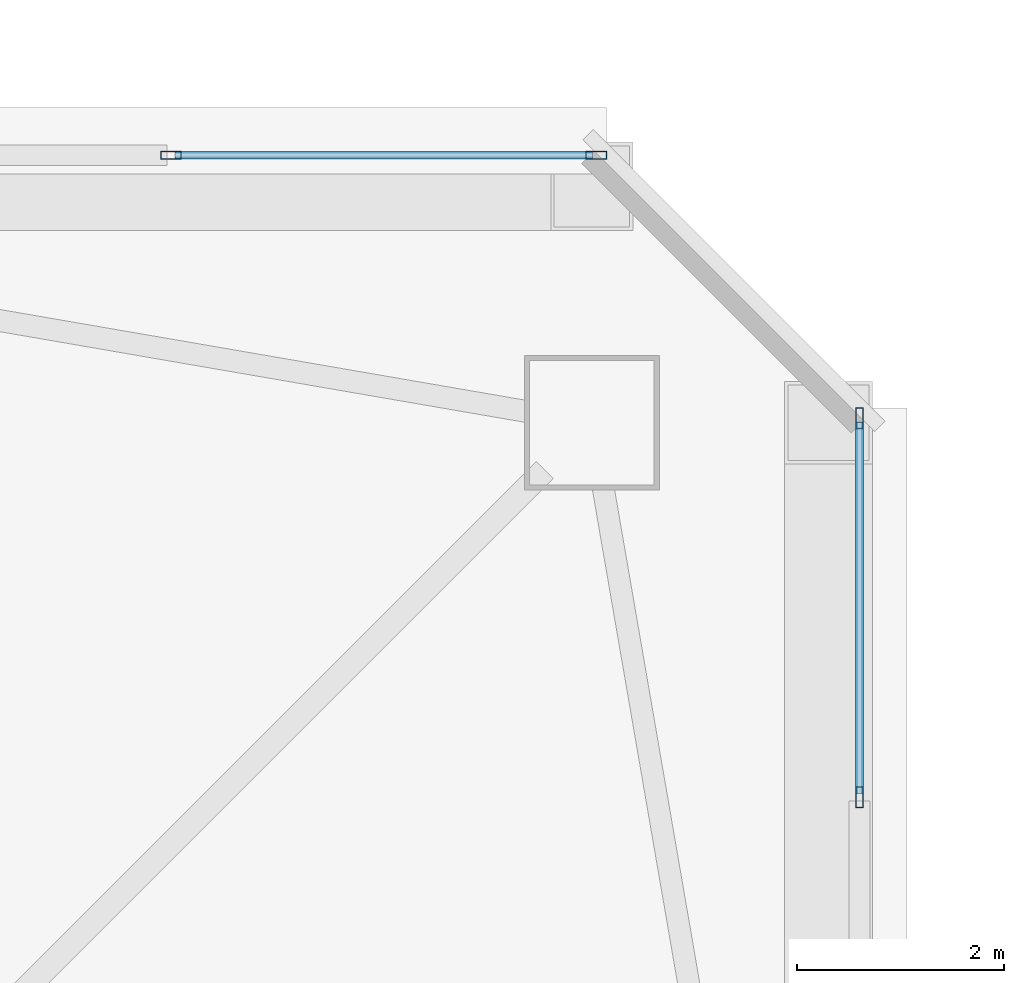
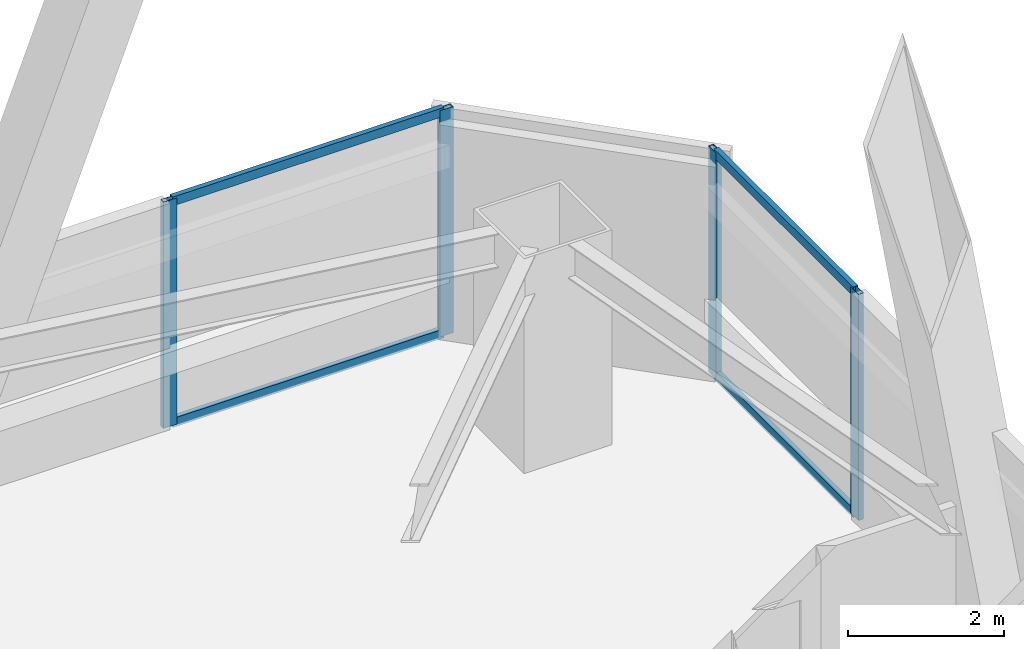
# One storey, part 22 of 54: 8 members, 2 elements without a shape of their own.
"""IFC4 building model written with IfcOpenShell, lengths in metres."""

from ifc_helpers import new_model, si_unit, direction, frame, origin, origin_2d, place, context, subcontext, project, spatial, hollow_rectangle, extrude, material, material_profile, profile_set, type_object, element, aggregate, save


model = new_model("IFC4")

# Units and contexts
model_context = context("Model", 3, precision=1e-05, world=origin(), true_north=direction((0.0, 1.0)))
body_context = subcontext(model_context, "Body", "Model", "MODEL_VIEW")
ifc_project = project(units=[si_unit("LENGTHUNIT", "METRE"), si_unit("AREAUNIT", "SQUARE_METRE"), si_unit("VOLUMEUNIT", "CUBIC_METRE"), si_unit("PLANEANGLEUNIT", "RADIAN"), si_unit("MASSUNIT", "GRAM", prefix="KILO")], contexts=[model_context])

# Site, building, storey
site_placement = place(None, origin())
site = spatial("IfcSite", under=ifc_project, at=site_placement, CompositionType="ELEMENT")
building_placement = place(site_placement, origin())
building = spatial("IfcBuilding", under=site, at=building_placement, Name="Tashvorn Skyway Center", CompositionType="ELEMENT")
storey_placement = place(building_placement, frame((0.0, 0.0, 135.699951171875)))
storey = spatial("IfcBuildingStorey", under=building, at=storey_placement, Name="L36", CompositionType="ELEMENT", Elevation=135.699951171875)

# Curtain wall, members
ifc_material = material(Name="Thermally broken bronze-anodized aluminium 6063-T6", Category="aluminium")
curtain_wall_type = type_object("IfcCurtainWallType", Name="CW-CW-Z3", PredefinedType="NOTDEFINED", material=ifc_material)
curtain_wall_1_placement = place(storey_placement, origin())
curtain_wall_1 = element("IfcCurtainWall", 1, at=curtain_wall_1_placement, inside=storey, type_object=curtain_wall_type, Name="Tower 1 L36 North Curtain Wall R Glazing Group 1", PredefinedType="NOTDEFINED")
ifc_material_profile_1 = material_profile(ifc_material, hollow_rectangle(XDim=0.074951171875, YDim=0.199951171875, WallThickness=0.00439453125, at=origin_2d()), Name="ALU-MULL-75x200")
ifc_profile_set_1 = profile_set([ifc_material_profile_1], Name="Thermally broken bronze-anodized aluminium 6063-T6")
member_type_1 = type_object("IfcMemberType", Name="CWM-CW-Z3", PredefinedType="MULLION", material=ifc_profile_set_1)
member_1_placement = place(storey_placement, frame((54.640869140625, 51.280029296875, 0.0), z_axis=(0.0, 0.0, 1.0), x_axis=(0.0, 1.0, 0.0)))
member_1 = element("IfcMember", 2, at=member_1_placement, type_object=member_type_1, Name="CW-Z3 mullion 1", PredefinedType="MULLION", context=body_context, shape_type="SweptSolid", body=[
    extrude(hollow_rectangle(XDim=0.074951171875, YDim=0.199951171875, WallThickness=0.00439453125, at=origin_2d()), origin(), (0.0, 0.0, 1.0), 3.550048828125),
])
member_2_placement = place(storey_placement, frame((58.742431640625, 51.280029296875, 0.0), z_axis=(0.0, 0.0, 1.0), x_axis=(0.0, 1.0, 0.0)))
member_2 = element("IfcMember", 3, at=member_2_placement, type_object=member_type_1, Name="CW-Z3 mullion 2", PredefinedType="MULLION", context=body_context, shape_type="SweptSolid", body=[
    extrude(hollow_rectangle(XDim=0.074951171875, YDim=0.199951171875, WallThickness=0.00439453125, at=origin_2d()), origin(), (0.0, 0.0, 1.0), 3.550048828125),
])

curtain_wall_2_placement = place(storey_placement, origin())
curtain_wall_2 = element("IfcCurtainWall", 4, at=curtain_wall_2_placement, inside=storey, type_object=curtain_wall_type, Name="Tower 1 L36 East Unitised Curtain Wall Glazing Group 1", PredefinedType="NOTDEFINED")
member_3_placement = place(storey_placement, frame((61.280029296875, 48.742431640625, 0.0), z_axis=(0.0, 0.0, 1.0), x_axis=(1.0, 0.0, 0.0)))
member_3 = element("IfcMember", 5, at=member_3_placement, type_object=member_type_1, Name="CW-Z3 mullion 1", PredefinedType="MULLION", context=body_context, shape_type="SweptSolid", body=[
    extrude(hollow_rectangle(XDim=0.074951171875, YDim=0.199951171875, WallThickness=0.00439453125, at=origin_2d()), origin(), (0.0, 0.0, 1.0), 3.550048828125),
])
member_4_placement = place(storey_placement, frame((61.280029296875, 45.088623046875, 0.0), z_axis=(0.0, 0.0, 1.0), x_axis=(1.0, 0.0, 0.0)))
member_4 = element("IfcMember", 6, at=member_4_placement, type_object=member_type_1, Name="CW-Z3 mullion 2", PredefinedType="MULLION", context=body_context, shape_type="SweptSolid", body=[
    extrude(hollow_rectangle(XDim=0.074951171875, YDim=0.199951171875, WallThickness=0.00439453125, at=origin_2d()), origin(), (0.0, 0.0, 1.0), 3.550048828125),
])

# Member
ifc_material_profile_2 = material_profile(ifc_material, hollow_rectangle(XDim=0.074951171875, YDim=0.139892578125, WallThickness=0.004150390625, at=origin_2d()), Name="ALU-TRAN-75x140")
ifc_profile_set_2 = profile_set([ifc_material_profile_2], Name="Thermally broken bronze-anodized aluminium 6063-T6")
member_type_2 = type_object("IfcMemberType", Name="CWT-CW-Z3", PredefinedType="USERDEFINED", material=ifc_profile_set_2)
member_5_placement = place(storey_placement, frame((54.67822265625, 51.280029296875, 0.03759765625), z_axis=(1.0, 0.0, 0.0), x_axis=(0.0, 1.0, 0.0)))
member_5 = element("IfcMember", 7, at=member_5_placement, type_object=member_type_2, Name="CW-Z3 transom 1.1", ObjectType="TRANSOM", PredefinedType="USERDEFINED", context=body_context, shape_type="SweptSolid", body=[
    extrude(hollow_rectangle(XDim=0.074951171875, YDim=0.139892578125, WallThickness=0.004150390625, at=origin_2d()), origin(), (0.0, 0.0, 1.0), 4.02685546875),
])

member_6_placement = place(storey_placement, frame((54.67822265625, 51.280029296875, 3.512451171875), z_axis=(1.0, 0.0, 0.0), x_axis=(0.0, 1.0, 0.0)))
member_6 = element("IfcMember", 8, at=member_6_placement, type_object=member_type_2, Name="CW-Z3 transom 1.2", ObjectType="TRANSOM", PredefinedType="USERDEFINED", context=body_context, shape_type="SweptSolid", body=[
    extrude(hollow_rectangle(XDim=0.074951171875, YDim=0.139892578125, WallThickness=0.004150390625, at=origin_2d()), origin(), (0.0, 0.0, 1.0), 4.02685546875),
])

aggregate(curtain_wall_1, [member_1, member_2, member_5, member_6])

member_7_placement = place(storey_placement, frame((61.280029296875, 48.705078125, 0.03759765625), z_axis=(0.0, -1.0, 0.0), x_axis=(1.0, 0.0, 0.0)))
member_7 = element("IfcMember", 9, at=member_7_placement, type_object=member_type_2, Name="CW-Z3 transom 1.1", ObjectType="TRANSOM", PredefinedType="USERDEFINED", context=body_context, shape_type="SweptSolid", body=[
    extrude(hollow_rectangle(XDim=0.074951171875, YDim=0.139892578125, WallThickness=0.004150390625, at=origin_2d()), origin(), (0.0, 0.0, 1.0), 3.578857421875),
])

member_8_placement = place(storey_placement, frame((61.280029296875, 48.705078125, 3.512451171875), z_axis=(0.0, -1.0, 0.0), x_axis=(1.0, 0.0, 0.0)))
member_8 = element("IfcMember", 10, at=member_8_placement, type_object=member_type_2, Name="CW-Z3 transom 1.2", ObjectType="TRANSOM", PredefinedType="USERDEFINED", context=body_context, shape_type="SweptSolid", body=[
    extrude(hollow_rectangle(XDim=0.074951171875, YDim=0.139892578125, WallThickness=0.004150390625, at=origin_2d()), origin(), (0.0, 0.0, 1.0), 3.578857421875),
])

aggregate(curtain_wall_2, [member_3, member_4, member_7, member_8])

save(model, "model.ifc")
